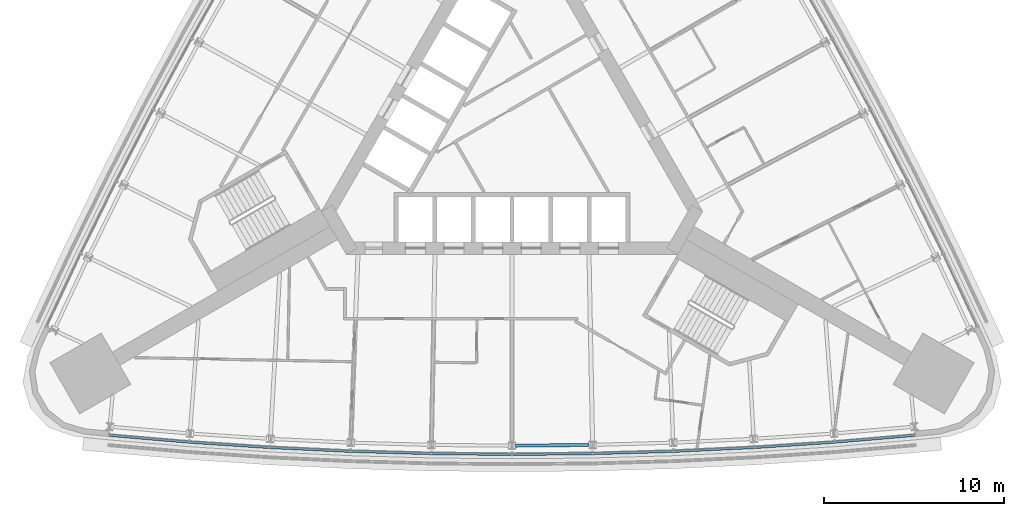
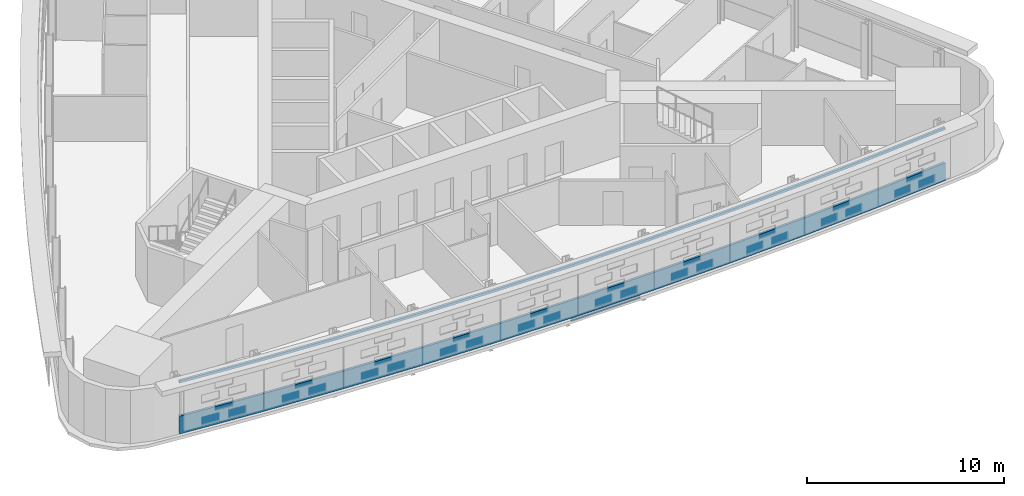
# One storey, part 3 of 15: 2 members, 1 beam, 1 element without a shape of its own.
"""IFC4 building model written with IfcOpenShell, lengths in metres."""

from ifc_helpers import new_model, si_unit, direction, frame, origin, origin_2d, place, context, subcontext, project, spatial, polyline, i_section, outline, extrude, material, material_profile, profile_set, type_object, element, aggregate, save


model = new_model("IFC4")

# Units and contexts
model_context = context("Model", 3, precision=1e-05, world=origin(), true_north=direction((0.0, 1.0)))
body_context = subcontext(model_context, "Body", "Model", "MODEL_VIEW")
ifc_project = project(units=[si_unit("LENGTHUNIT", "METRE"), si_unit("AREAUNIT", "SQUARE_METRE"), si_unit("VOLUMEUNIT", "CUBIC_METRE"), si_unit("PLANEANGLEUNIT", "RADIAN"), si_unit("MASSUNIT", "GRAM", prefix="KILO")], contexts=[model_context])

# Site, building, storey
site_placement = place(None, origin())
site = spatial("IfcSite", under=ifc_project, at=site_placement, CompositionType="ELEMENT")
building_placement = place(site_placement, origin())
building = spatial("IfcBuilding", under=site, at=building_placement, Name="Noor Cloister Tower", CompositionType="ELEMENT")
storey_placement = place(building_placement, frame((0.0, 0.0, 45.60009765625)))
storey = spatial("IfcBuildingStorey", under=building, at=storey_placement, Name="L11", CompositionType="ELEMENT", Elevation=45.60009765625)

# Curtain wall, members
ifc_material_1 = material(Name="Aluminium 6063-T6 anodised", Category="aluminium")
curtain_wall_type = type_object("IfcCurtainWallType", Name="Ribbon curtain wall, lower tower CW1", PredefinedType="NOTDEFINED", material=ifc_material_1)
curtain_wall_placement = place(storey_placement, origin())
curtain_wall = element("IfcCurtainWall", 1, at=curtain_wall_placement, inside=storey, type_object=curtain_wall_type, Name="CW1 L11 S run 2", PredefinedType="NOTDEFINED")
ifc_material_2 = material(Name="Aluminium 6063-T6 anodised", Category="aluminium")
member_type_1 = type_object("IfcMemberType", Name="Head transom CW1 150", PredefinedType="USERDEFINED", material=ifc_material_2)
member_1_placement = place(storey_placement, frame((0.0, 0.0, 3.14990234375)))
member_1 = element("IfcMember", 2, at=member_1_placement, type_object=member_type_1, Name="CW1 head transom", ObjectType="TRANSOM", PredefinedType="USERDEFINED", context=body_context, shape_type="SweptSolid", body=[
    extrude(outline(polyline([(-22.466552734375, -17.06787109375), (-17.98291015625, -17.450439453125), (-13.49267578125, -17.748291015625), (-8.997802734375, -17.9609375), (-4.499755859375, -18.088623046875), (0.0, -18.131103515625), (4.499755859375, -18.088623046875), (8.997802734375, -17.9609375), (13.49267578125, -17.748291015625), (17.98291015625, -17.450439453125), (22.466552734375, -17.06787109375), (22.45458984375, -16.928466796875), (17.97216796875, -17.31103515625), (13.48486328125, -17.6083984375), (8.99267578125, -17.821044921875), (4.4970703125, -17.94873046875), (0.0, -17.9912109375), (-4.4970703125, -17.94873046875), (-8.99267578125, -17.821044921875), (-13.48486328125, -17.6083984375), (-17.97216796875, -17.31103515625), (-22.45458984375, -16.928466796875), (-22.466552734375, -17.06787109375)])), origin(), (0.0, 0.0, 1.0), 0.14990234375),
])
ifc_material_3 = material(Name="Aluminium 6063-T6 anodised", Category="aluminium")
member_type_2 = type_object("IfcMemberType", Name="Sill transom CW1 1100", PredefinedType="USERDEFINED", material=ifc_material_3)
member_2_placement = place(storey_placement, origin())
member_2 = element("IfcMember", 3, at=member_2_placement, type_object=member_type_2, Name="CW1 sill transom", ObjectType="TRANSOM", PredefinedType="USERDEFINED", context=body_context, shape_type="SweptSolid", body=[
    extrude(outline(polyline([(-22.466552734375, -17.06787109375), (-17.98291015625, -17.450439453125), (-13.49267578125, -17.748291015625), (-8.997802734375, -17.9609375), (-4.499755859375, -18.088623046875), (0.0, -18.131103515625), (4.499755859375, -18.088623046875), (8.997802734375, -17.9609375), (13.49267578125, -17.748291015625), (17.98291015625, -17.450439453125), (22.466552734375, -17.06787109375), (22.45458984375, -16.928466796875), (17.97216796875, -17.31103515625), (13.48486328125, -17.6083984375), (8.99267578125, -17.821044921875), (4.4970703125, -17.94873046875), (0.0, -17.9912109375), (-4.4970703125, -17.94873046875), (-8.99267578125, -17.821044921875), (-13.48486328125, -17.6083984375), (-17.97216796875, -17.31103515625), (-22.45458984375, -16.928466796875), (-22.466552734375, -17.06787109375)])), origin(), (0.0, 0.0, 1.0), 1.099853515625),
])
aggregate(curtain_wall, [member_2, member_1])

# Beam
ifc_material_4 = material(Name="Steel ASTM A992 Gr 50", Category="steel")
ifc_material_profile = material_profile(ifc_material_4, i_section(OverallWidth=0.177978515625, OverallDepth=0.406005859375, WebThickness=0.0078125, FlangeThickness=0.0126953125, FilletRadius=0.01025390625, at=origin_2d()), Name="W410x60")
ifc_profile_set = profile_set([ifc_material_profile], Name="Steel ASTM A992 Gr 50")
beam_type = type_object("IfcBeamType", Name="Spandrel beam W410x60", PredefinedType="SPANDREL", material=ifc_profile_set)
beam_placement = place(storey_placement, frame((0.201904296875, -17.579345703125, -0.403076171875), z_axis=(0.999954862727, 0.009501184605, 0.0), x_axis=(-0.009501184605, 0.999954862727, 0.0)))
element("IfcBeam", 4, at=beam_placement, inside=storey, type_object=beam_type, Name="Spandrel beam S 06 L11", PredefinedType="SPANDREL", context=body_context, shape_type="SweptSolid", body=[
    extrude(i_section(OverallWidth=0.177978515625, OverallDepth=0.406005859375, WebThickness=0.0078125, FlangeThickness=0.0126953125, FilletRadius=0.01025390625, at=origin_2d()), origin(), (0.0, 0.0, 1.0), 4.085693359375),
])

save(model, "model.ifc")
